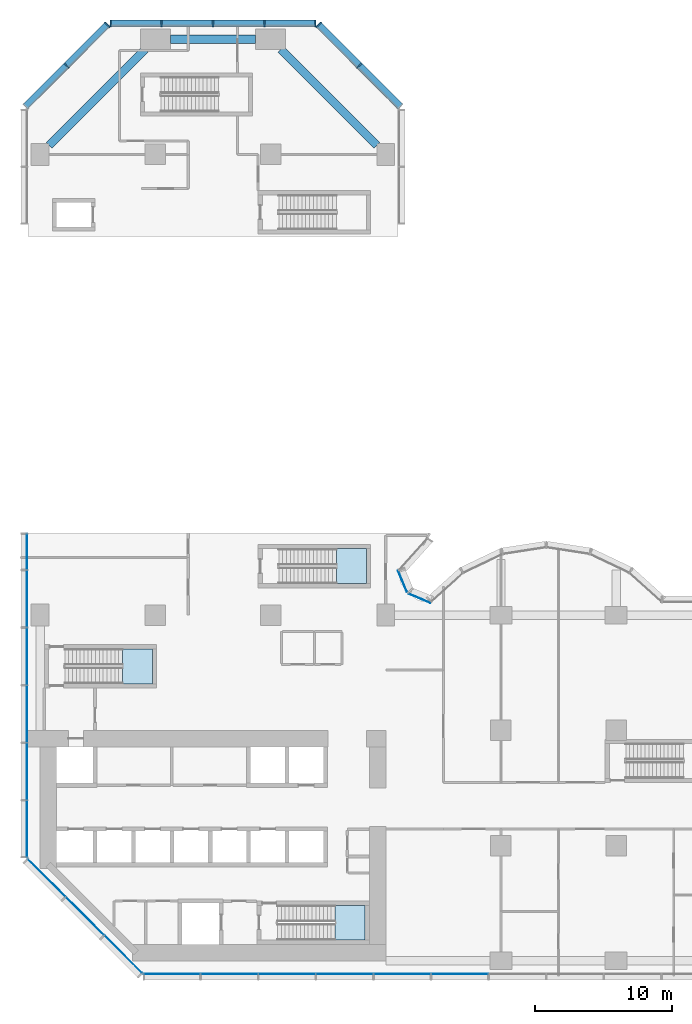
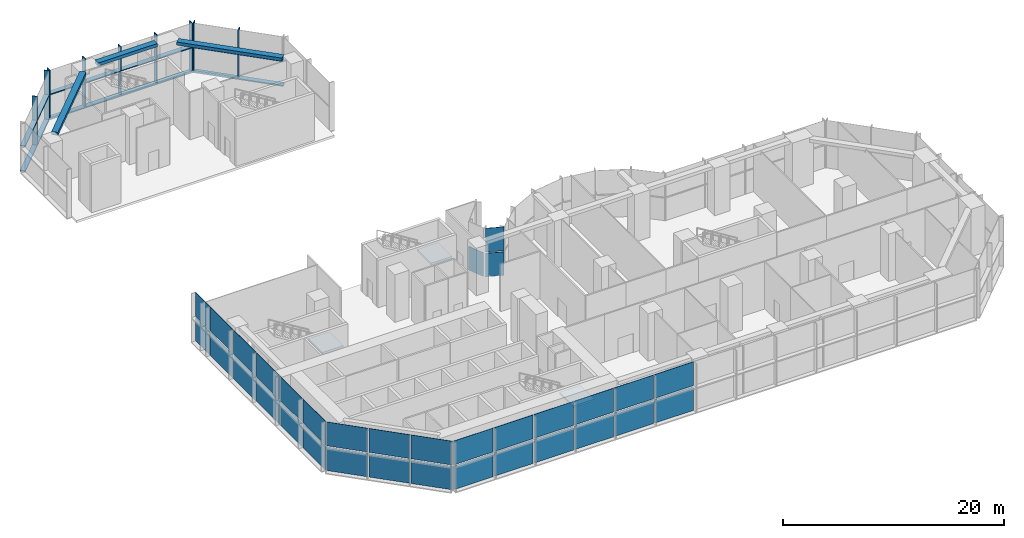
# One storey, part 5 of 16: 33 plates, 20 members, 3 beams, 3 slabs, 10 elements without a shape of their own.
"""IFC4 building model written with IfcOpenShell, lengths in metres."""

from ifc_helpers import new_model, si_unit, direction, frame, origin, origin_2d, place, context, subcontext, project, spatial, polyline, rectangle, outline, extrude, material, layer, layer_set, material_profile, profile_set, type_object, element, aggregate, save


model = new_model("IFC4")

# Units and contexts
model_context = context("Model", 3, precision=1e-05, world=origin(), true_north=direction((0.0, 1.0)))
body_context = subcontext(model_context, "Body", "Model", "MODEL_VIEW")
ifc_project = project(units=[si_unit("LENGTHUNIT", "METRE"), si_unit("AREAUNIT", "SQUARE_METRE"), si_unit("VOLUMEUNIT", "CUBIC_METRE"), si_unit("PLANEANGLEUNIT", "RADIAN"), si_unit("MASSUNIT", "GRAM", prefix="KILO")], contexts=[model_context])

# Site, building, storey
site_placement = place(None, origin())
site = spatial("IfcSite", under=ifc_project, at=site_placement, CompositionType="ELEMENT")
building_placement = place(site_placement, origin())
building = spatial("IfcBuilding", under=site, at=building_placement, Name="Brevane Broadcast Tower", CompositionType="ELEMENT")
storey_placement = place(building_placement, frame((0.0, 0.0, 7.0)))
storey = spatial("IfcBuildingStorey", under=building, at=storey_placement, Name="L01", CompositionType="ELEMENT", Elevation=7.0)

# Curtain wall, members
ifc_material_1 = material(Name="Aluminium 6063-T6 bronze anodised", Category="aluminium")
curtain_wall_type = type_object("IfcCurtainWallType", Name="CW-2 curtain wall", PredefinedType="NOTDEFINED", material=ifc_material_1)
curtain_wall_1_placement = place(storey_placement, origin())
curtain_wall_1 = element("IfcCurtainWall", 1, at=curtain_wall_1_placement, inside=storey, type_object=curtain_wall_type, Name="CW-2 podium base unit L01 north arm north-east chamfer", PredefinedType="NOTDEFINED")
ifc_material_profile_1 = material_profile(ifc_material_1, rectangle(XDim=0.5, YDim=0.090087890625, at=origin_2d()), Name="RECT 90x500")
ifc_profile_set_1 = profile_set([ifc_material_profile_1], Name="Aluminium 6063-T6 bronze anodised")
member_type_1 = type_object("IfcMemberType", Name="CW-2 mullion 90x500", PredefinedType="MULLION", material=ifc_profile_set_1)
member_1_placement = place(storey_placement, frame((23.27685546875, 65.27685546875, -0.1298828125), z_axis=(0.0, 0.0, 1.0), x_axis=(-0.707106781187, -0.707106781187, 0.0)))
member_1 = element("IfcMember", 2, at=member_1_placement, type_object=member_type_1, Name="CW-2 mullion", PredefinedType="MULLION", context=body_context, shape_type="SweptSolid", body=[
    extrude(rectangle(XDim=0.5, YDim=0.090087890625, at=origin_2d()), origin(), (0.0, 0.0, 1.0), 5.3798828125),
])
member_2_placement = place(storey_placement, frame((20.30859375, 68.244873046875, -0.1298828125), z_axis=(0.0, 0.0, 1.0), x_axis=(-0.707106781187, -0.707106781187, 0.0)))
member_2 = element("IfcMember", 3, at=member_2_placement, type_object=member_type_1, Name="CW-2 mullion", PredefinedType="MULLION", context=body_context, shape_type="SweptSolid", body=[
    extrude(rectangle(XDim=0.5, YDim=0.090087890625, at=origin_2d()), origin(), (0.0, 0.0, 1.0), 5.3798828125),
])

curtain_wall_2_placement = place(storey_placement, origin())
curtain_wall_2 = element("IfcCurtainWall", 4, at=curtain_wall_2_placement, inside=storey, type_object=curtain_wall_type, Name="CW-2 podium base unit L01 north end", PredefinedType="NOTDEFINED")
member_3_placement = place(storey_placement, frame((20.054931640625, 68.35009765625, -0.1298828125), z_axis=(0.0, 0.0, 1.0), x_axis=(0.0, -1.0, 0.0)))
member_3 = element("IfcMember", 5, at=member_3_placement, type_object=member_type_1, Name="CW-2 mullion", PredefinedType="MULLION", context=body_context, shape_type="SweptSolid", body=[
    extrude(rectangle(XDim=0.5, YDim=0.090087890625, at=origin_2d()), origin(), (0.0, 0.0, 1.0), 5.3798828125),
])
member_4_placement = place(storey_placement, frame((16.35009765625, 68.35009765625, -0.1298828125), z_axis=(0.0, 0.0, 1.0), x_axis=(0.0, -1.0, 0.0)))
member_4 = element("IfcMember", 6, at=member_4_placement, type_object=member_type_1, Name="CW-2 mullion", PredefinedType="MULLION", context=body_context, shape_type="SweptSolid", body=[
    extrude(rectangle(XDim=0.5, YDim=0.090087890625, at=origin_2d()), origin(), (0.0, 0.0, 1.0), 5.3798828125),
])
member_5_placement = place(storey_placement, frame((12.60009765625, 68.35009765625, -0.1298828125), z_axis=(0.0, 0.0, 1.0), x_axis=(0.0, -1.0, 0.0)))
member_5 = element("IfcMember", 7, at=member_5_placement, type_object=member_type_1, Name="CW-2 mullion", PredefinedType="MULLION", context=body_context, shape_type="SweptSolid", body=[
    extrude(rectangle(XDim=0.5, YDim=0.090087890625, at=origin_2d()), origin(), (0.0, 0.0, 1.0), 5.3798828125),
])
member_6_placement = place(storey_placement, frame((8.85009765625, 68.35009765625, -0.1298828125), z_axis=(0.0, 0.0, 1.0), x_axis=(0.0, -1.0, 0.0)))
member_6 = element("IfcMember", 8, at=member_6_placement, type_object=member_type_1, Name="CW-2 mullion", PredefinedType="MULLION", context=body_context, shape_type="SweptSolid", body=[
    extrude(rectangle(XDim=0.5, YDim=0.090087890625, at=origin_2d()), origin(), (0.0, 0.0, 1.0), 5.3798828125),
])
member_7_placement = place(storey_placement, frame((5.14501953125, 68.35009765625, -0.1298828125), z_axis=(0.0, 0.0, 1.0), x_axis=(0.0, -1.0, 0.0)))
member_7 = element("IfcMember", 9, at=member_7_placement, type_object=member_type_1, Name="CW-2 mullion", PredefinedType="MULLION", context=body_context, shape_type="SweptSolid", body=[
    extrude(rectangle(XDim=0.5, YDim=0.090087890625, at=origin_2d()), origin(), (0.0, 0.0, 1.0), 5.3798828125),
])

curtain_wall_3_placement = place(storey_placement, origin())
curtain_wall_3 = element("IfcCurtainWall", 10, at=curtain_wall_3_placement, inside=storey, type_object=curtain_wall_type, Name="CW-2 podium base unit L01 north-west chamfer", PredefinedType="NOTDEFINED")
member_8_placement = place(storey_placement, frame((4.891357421875, 68.244873046875, -0.1298828125), z_axis=(0.0, 0.0, 1.0), x_axis=(0.707106781187, -0.707106781187, 0.0)))
member_8 = element("IfcMember", 11, at=member_8_placement, type_object=member_type_1, Name="CW-2 mullion", PredefinedType="MULLION", context=body_context, shape_type="SweptSolid", body=[
    extrude(rectangle(XDim=0.5, YDim=0.090087890625, at=origin_2d()), origin(), (0.0, 0.0, 1.0), 5.3798828125),
])
member_9_placement = place(storey_placement, frame((1.92333984375, 65.27685546875, -0.1298828125), z_axis=(0.0, 0.0, 1.0), x_axis=(0.707106781187, -0.707106781187, 0.0)))
member_9 = element("IfcMember", 12, at=member_9_placement, type_object=member_type_1, Name="CW-2 mullion", PredefinedType="MULLION", context=body_context, shape_type="SweptSolid", body=[
    extrude(rectangle(XDim=0.5, YDim=0.090087890625, at=origin_2d()), origin(), (0.0, 0.0, 1.0), 5.3798828125),
])

# Member
ifc_material_profile_2 = material_profile(ifc_material_1, rectangle(XDim=0.5, YDim=0.1201171875, at=origin_2d()), Name="RECT 120x500")
ifc_profile_set_2 = profile_set([ifc_material_profile_2], Name="Aluminium 6063-T6 bronze anodised")
member_type_2 = type_object("IfcMemberType", Name="CW-2 transom 120x500", PredefinedType="USERDEFINED", material=ifc_profile_set_2)
member_10_placement = place(storey_placement, frame((26.27685546875, 62.27685546875, -0.18994140625), z_axis=(-0.707106781187, 0.707106781187, 0.0), x_axis=(-0.707106781187, -0.707106781187, 0.0)))
member_10 = element("IfcMember", 13, at=member_10_placement, type_object=member_type_2, Name="CW-2 transom", ObjectType="TRANSOM", PredefinedType="USERDEFINED", context=body_context, shape_type="SweptSolid", body=[
    extrude(rectangle(XDim=0.5, YDim=0.1201171875, at=origin_2d()), origin(), (0.0, 0.0, 1.0), 8.4853515625),
])

member_11_placement = place(storey_placement, frame((26.244873046875, 62.30859375, 2.550048828125), z_axis=(-0.707106781187, 0.707106781187, 0.0), x_axis=(-0.707106781187, -0.707106781187, 0.0)))
member_11 = element("IfcMember", 14, at=member_11_placement, type_object=member_type_2, Name="CW-2 transom", ObjectType="TRANSOM", PredefinedType="USERDEFINED", context=body_context, shape_type="SweptSolid", body=[
    extrude(rectangle(XDim=0.5, YDim=0.1201171875, at=origin_2d()), origin(), (0.0, 0.0, 1.0), 4.152587890625),
])

member_12_placement = place(storey_placement, frame((23.244873046875, 65.30859375, 2.550048828125), z_axis=(-0.707106781187, 0.707106781187, 0.0), x_axis=(-0.707106781187, -0.707106781187, 0.0)))
member_12 = element("IfcMember", 15, at=member_12_placement, type_object=member_type_2, Name="CW-2 transom", ObjectType="TRANSOM", PredefinedType="USERDEFINED", context=body_context, shape_type="SweptSolid", body=[
    extrude(rectangle(XDim=0.5, YDim=0.1201171875, at=origin_2d()), origin(), (0.0, 0.0, 1.0), 4.152587890625),
])

aggregate(curtain_wall_1, [member_1, member_2, member_10, member_11, member_12])

member_13_placement = place(storey_placement, frame((20.10009765625, 68.35009765625, -0.18994140625), z_axis=(-1.0, 0.0, 0.0), x_axis=(0.0, -1.0, 0.0)))
member_13 = element("IfcMember", 16, at=member_13_placement, type_object=member_type_2, Name="CW-2 transom", ObjectType="TRANSOM", PredefinedType="USERDEFINED", context=body_context, shape_type="SweptSolid", body=[
    extrude(rectangle(XDim=0.5, YDim=0.1201171875, at=origin_2d()), origin(), (0.0, 0.0, 1.0), 15.0),
])

member_14_placement = place(storey_placement, frame((20.054931640625, 68.35009765625, 2.550048828125), z_axis=(-1.0, 0.0, 0.0), x_axis=(0.0, -1.0, 0.0)))
member_14 = element("IfcMember", 17, at=member_14_placement, type_object=member_type_2, Name="CW-2 transom", ObjectType="TRANSOM", PredefinedType="USERDEFINED", context=body_context, shape_type="SweptSolid", body=[
    extrude(rectangle(XDim=0.5, YDim=0.1201171875, at=origin_2d()), origin(), (0.0, 0.0, 1.0), 3.659912109375),
])

member_15_placement = place(storey_placement, frame((16.304931640625, 68.35009765625, 2.550048828125), z_axis=(-1.0, 0.0, 0.0), x_axis=(0.0, -1.0, 0.0)))
member_15 = element("IfcMember", 18, at=member_15_placement, type_object=member_type_2, Name="CW-2 transom", ObjectType="TRANSOM", PredefinedType="USERDEFINED", context=body_context, shape_type="SweptSolid", body=[
    extrude(rectangle(XDim=0.5, YDim=0.1201171875, at=origin_2d()), origin(), (0.0, 0.0, 1.0), 3.659912109375),
])

member_16_placement = place(storey_placement, frame((12.554931640625, 68.35009765625, 2.550048828125), z_axis=(-1.0, 0.0, 0.0), x_axis=(0.0, -1.0, 0.0)))
member_16 = element("IfcMember", 19, at=member_16_placement, type_object=member_type_2, Name="CW-2 transom", ObjectType="TRANSOM", PredefinedType="USERDEFINED", context=body_context, shape_type="SweptSolid", body=[
    extrude(rectangle(XDim=0.5, YDim=0.1201171875, at=origin_2d()), origin(), (0.0, 0.0, 1.0), 3.659912109375),
])

member_17_placement = place(storey_placement, frame((8.804931640625, 68.35009765625, 2.550048828125), z_axis=(-1.0, 0.0, 0.0), x_axis=(0.0, -1.0, 0.0)))
member_17 = element("IfcMember", 20, at=member_17_placement, type_object=member_type_2, Name="CW-2 transom", ObjectType="TRANSOM", PredefinedType="USERDEFINED", context=body_context, shape_type="SweptSolid", body=[
    extrude(rectangle(XDim=0.5, YDim=0.1201171875, at=origin_2d()), origin(), (0.0, 0.0, 1.0), 3.659912109375),
])

aggregate(curtain_wall_2, [member_3, member_4, member_5, member_6, member_7, member_13, member_14, member_15, member_16, member_17])

member_18_placement = place(storey_placement, frame((4.92333984375, 68.27685546875, -0.18994140625), z_axis=(-0.707106781187, -0.707106781187, 0.0), x_axis=(0.707106781187, -0.707106781187, 0.0)))
member_18 = element("IfcMember", 21, at=member_18_placement, type_object=member_type_2, Name="CW-2 transom", ObjectType="TRANSOM", PredefinedType="USERDEFINED", context=body_context, shape_type="SweptSolid", body=[
    extrude(rectangle(XDim=0.5, YDim=0.1201171875, at=origin_2d()), origin(), (0.0, 0.0, 1.0), 8.4853515625),
])

member_19_placement = place(storey_placement, frame((4.891357421875, 68.244873046875, 2.550048828125), z_axis=(-0.707106781187, -0.707106781187, 0.0), x_axis=(0.707106781187, -0.707106781187, 0.0)))
member_19 = element("IfcMember", 22, at=member_19_placement, type_object=member_type_2, Name="CW-2 transom", ObjectType="TRANSOM", PredefinedType="USERDEFINED", context=body_context, shape_type="SweptSolid", body=[
    extrude(rectangle(XDim=0.5, YDim=0.1201171875, at=origin_2d()), origin(), (0.0, 0.0, 1.0), 4.152587890625),
])

member_20_placement = place(storey_placement, frame((1.891357421875, 65.244873046875, 2.550048828125), z_axis=(-0.707106781187, -0.707106781187, 0.0), x_axis=(0.707106781187, -0.707106781187, 0.0)))
member_20 = element("IfcMember", 23, at=member_20_placement, type_object=member_type_2, Name="CW-2 transom", ObjectType="TRANSOM", PredefinedType="USERDEFINED", context=body_context, shape_type="SweptSolid", body=[
    extrude(rectangle(XDim=0.5, YDim=0.1201171875, at=origin_2d()), origin(), (0.0, 0.0, 1.0), 4.152587890625),
])

aggregate(curtain_wall_3, [member_8, member_9, member_18, member_19, member_20])

# Beams
ifc_material_2 = material(Name="Concrete C40/50", Category="concrete")
ifc_material_profile_3 = material_profile(ifc_material_2, rectangle(XDim=0.60009765625, YDim=0.35009765625, at=origin_2d()), Name="RC 600x350")
ifc_profile_set_3 = profile_set([ifc_material_profile_3], Name="Concrete C40/50")
beam_type = type_object("IfcBeamType", Name="RC SPANDREL BEAM 600x350 C40/50", PredefinedType="SPANDREL", material=ifc_profile_set_3)
beam_1_placement = place(storey_placement, frame((24.550048828125, 59.449951171875, 5.074951171875), z_axis=(-0.707106781187, 0.707106781187, 0.0), x_axis=(-0.707106781187, -0.707106781187, 0.0)))
element("IfcBeam", 24, at=beam_1_placement, inside=storey, type_object=beam_type, Name="EB1 L01-12", PredefinedType="SPANDREL", context=body_context, shape_type="SweptSolid", body=[
    extrude(rectangle(XDim=0.60009765625, YDim=0.35009765625, at=origin_2d()), origin(), (0.0, 0.0, 1.0), 9.8994140625),
])
beam_2_placement = place(storey_placement, frame((15.699951171875, 67.199951171875, 5.074951171875), z_axis=(-1.0, 0.0, 0.0), x_axis=(0.0, -1.0, 0.0)))
element("IfcBeam", 25, at=beam_2_placement, inside=storey, type_object=beam_type, Name="EB1 L01-13", PredefinedType="SPANDREL", context=body_context, shape_type="SweptSolid", body=[
    extrude(rectangle(XDim=0.60009765625, YDim=0.35009765625, at=origin_2d()), origin(), (0.0, 0.0, 1.0), 6.199951171875),
])
beam_3_placement = place(storey_placement, frame((7.64990234375, 66.449951171875, 5.074951171875), z_axis=(-0.707106781187, -0.707106781187, 0.0), x_axis=(0.707106781187, -0.707106781187, 0.0)))
element("IfcBeam", 26, at=beam_3_placement, inside=storey, type_object=beam_type, Name="EB1 L01-14", PredefinedType="SPANDREL", context=body_context, shape_type="SweptSolid", body=[
    extrude(rectangle(XDim=0.60009765625, YDim=0.35009765625, at=origin_2d()), origin(), (0.0, 0.0, 1.0), 9.8994140625),
])

# Curtain wall, plates
curtain_wall_4_placement = place(storey_placement, origin())
curtain_wall_4 = element("IfcCurtainWall", 27, at=curtain_wall_4_placement, inside=storey, type_object=curtain_wall_type, Name="CW-2 podium base unit L01 south face", PredefinedType="NOTDEFINED")
ifc_material_3 = material(Name="Laminated glass bronze-tinted", Category="glass")
ifc_layer_1 = layer(ifc_material_3, 0.0400390625)
ifc_layer_set_1 = layer_set([ifc_layer_1], Name="CW glass panel 40")
plate_type = type_object("IfcPlateType", Name="CW glass panel 40", PredefinedType="CURTAIN_PANEL", material=ifc_layer_set_1)
plate_1_placement = place(storey_placement, frame((0.0, 0.0, -0.1298828125)))
plate_1 = element("IfcPlate", 28, at=plate_1_placement, type_object=plate_type, Name="CW-2 glass panel", PredefinedType="CURTAIN_PANEL", context=body_context, shape_type="SweptSolid", body=[
    extrude(outline(polyline([(11.655029296875, -0.969970703125), (11.655029296875, -0.929931640625), (7.544921875, -0.929931640625), (7.544921875, -0.969970703125), (11.655029296875, -0.969970703125)])), origin(), (0.0, 0.0, 1.0), 2.619873046875),
])
plate_2_placement = place(storey_placement, frame((0.0, 0.0, 2.610107421875)))
plate_2 = element("IfcPlate", 29, at=plate_2_placement, type_object=plate_type, Name="CW-2 glass panel", PredefinedType="CURTAIN_PANEL", context=body_context, shape_type="SweptSolid", body=[
    extrude(outline(polyline([(11.655029296875, -0.969970703125), (11.655029296875, -0.929931640625), (7.544921875, -0.929931640625), (7.544921875, -0.969970703125), (11.655029296875, -0.969970703125)])), origin(), (0.0, 0.0, 1.0), 2.639892578125),
])
plate_3_placement = place(storey_placement, frame((0.0, 0.0, -0.1298828125)))
plate_3 = element("IfcPlate", 30, at=plate_3_placement, type_object=plate_type, Name="CW-2 glass panel", PredefinedType="CURTAIN_PANEL", context=body_context, shape_type="SweptSolid", body=[
    extrude(outline(polyline([(15.85498046875, -0.969970703125), (15.85498046875, -0.929931640625), (11.7451171875, -0.929931640625), (11.7451171875, -0.969970703125), (15.85498046875, -0.969970703125)])), origin(), (0.0, 0.0, 1.0), 2.619873046875),
])
plate_4_placement = place(storey_placement, frame((0.0, 0.0, 2.610107421875)))
plate_4 = element("IfcPlate", 31, at=plate_4_placement, type_object=plate_type, Name="CW-2 glass panel", PredefinedType="CURTAIN_PANEL", context=body_context, shape_type="SweptSolid", body=[
    extrude(outline(polyline([(15.85498046875, -0.969970703125), (15.85498046875, -0.929931640625), (11.7451171875, -0.929931640625), (11.7451171875, -0.969970703125), (15.85498046875, -0.969970703125)])), origin(), (0.0, 0.0, 1.0), 2.639892578125),
])
plate_5_placement = place(storey_placement, frame((0.0, 0.0, -0.1298828125)))
plate_5 = element("IfcPlate", 32, at=plate_5_placement, type_object=plate_type, Name="CW-2 glass panel", PredefinedType="CURTAIN_PANEL", context=body_context, shape_type="SweptSolid", body=[
    extrude(outline(polyline([(20.054931640625, -0.969970703125), (20.054931640625, -0.929931640625), (15.945068359375, -0.929931640625), (15.945068359375, -0.969970703125), (20.054931640625, -0.969970703125)])), origin(), (0.0, 0.0, 1.0), 2.619873046875),
])
plate_6_placement = place(storey_placement, frame((0.0, 0.0, 2.610107421875)))
plate_6 = element("IfcPlate", 33, at=plate_6_placement, type_object=plate_type, Name="CW-2 glass panel", PredefinedType="CURTAIN_PANEL", context=body_context, shape_type="SweptSolid", body=[
    extrude(outline(polyline([(20.054931640625, -0.969970703125), (20.054931640625, -0.929931640625), (15.945068359375, -0.929931640625), (15.945068359375, -0.969970703125), (20.054931640625, -0.969970703125)])), origin(), (0.0, 0.0, 1.0), 2.639892578125),
])
plate_7_placement = place(storey_placement, frame((0.0, 0.0, -0.1298828125)))
plate_7 = element("IfcPlate", 34, at=plate_7_placement, type_object=plate_type, Name="CW-2 glass panel", PredefinedType="CURTAIN_PANEL", context=body_context, shape_type="SweptSolid", body=[
    extrude(outline(polyline([(24.2548828125, -0.969970703125), (24.2548828125, -0.929931640625), (20.14501953125, -0.929931640625), (20.14501953125, -0.969970703125), (24.2548828125, -0.969970703125)])), origin(), (0.0, 0.0, 1.0), 2.619873046875),
])
plate_8_placement = place(storey_placement, frame((0.0, 0.0, 2.610107421875)))
plate_8 = element("IfcPlate", 35, at=plate_8_placement, type_object=plate_type, Name="CW-2 glass panel", PredefinedType="CURTAIN_PANEL", context=body_context, shape_type="SweptSolid", body=[
    extrude(outline(polyline([(24.2548828125, -0.969970703125), (24.2548828125, -0.929931640625), (20.14501953125, -0.929931640625), (20.14501953125, -0.969970703125), (24.2548828125, -0.969970703125)])), origin(), (0.0, 0.0, 1.0), 2.639892578125),
])
plate_9_placement = place(storey_placement, frame((0.0, 0.0, -0.1298828125)))
plate_9 = element("IfcPlate", 36, at=plate_9_placement, type_object=plate_type, Name="CW-2 glass panel", PredefinedType="CURTAIN_PANEL", context=body_context, shape_type="SweptSolid", body=[
    extrude(outline(polyline([(28.455078125, -0.969970703125), (28.455078125, -0.929931640625), (24.344970703125, -0.929931640625), (24.344970703125, -0.969970703125), (28.455078125, -0.969970703125)])), origin(), (0.0, 0.0, 1.0), 2.619873046875),
])
plate_10_placement = place(storey_placement, frame((0.0, 0.0, 2.610107421875)))
plate_10 = element("IfcPlate", 37, at=plate_10_placement, type_object=plate_type, Name="CW-2 glass panel", PredefinedType="CURTAIN_PANEL", context=body_context, shape_type="SweptSolid", body=[
    extrude(outline(polyline([(28.455078125, -0.969970703125), (28.455078125, -0.929931640625), (24.344970703125, -0.929931640625), (24.344970703125, -0.969970703125), (28.455078125, -0.969970703125)])), origin(), (0.0, 0.0, 1.0), 2.639892578125),
])
plate_11_placement = place(storey_placement, frame((0.0, 0.0, -0.1298828125)))
plate_11 = element("IfcPlate", 38, at=plate_11_placement, type_object=plate_type, Name="CW-2 glass panel", PredefinedType="CURTAIN_PANEL", context=body_context, shape_type="SweptSolid", body=[
    extrude(outline(polyline([(32.655029296875, -0.969970703125), (32.655029296875, -0.929931640625), (28.544921875, -0.929931640625), (28.544921875, -0.969970703125), (32.655029296875, -0.969970703125)])), origin(), (0.0, 0.0, 1.0), 2.619873046875),
])
plate_12_placement = place(storey_placement, frame((0.0, 0.0, 2.610107421875)))
plate_12 = element("IfcPlate", 39, at=plate_12_placement, type_object=plate_type, Name="CW-2 glass panel", PredefinedType="CURTAIN_PANEL", context=body_context, shape_type="SweptSolid", body=[
    extrude(outline(polyline([(32.655029296875, -0.969970703125), (32.655029296875, -0.929931640625), (28.544921875, -0.929931640625), (28.544921875, -0.969970703125), (32.655029296875, -0.969970703125)])), origin(), (0.0, 0.0, 1.0), 2.639892578125),
])
aggregate(curtain_wall_4, [plate_1, plate_2, plate_3, plate_4, plate_5, plate_6, plate_7, plate_8, plate_9, plate_10, plate_11, plate_12])

curtain_wall_5_placement = place(storey_placement, origin())
curtain_wall_5 = element("IfcCurtainWall", 40, at=curtain_wall_5_placement, inside=storey, type_object=curtain_wall_type, Name="CW-2 podium base unit L01 inner corner", PredefinedType="NOTDEFINED")
plate_13_placement = place(storey_placement, frame((0.0, 0.0, -0.1298828125)))
plate_13 = element("IfcPlate", 41, at=plate_13_placement, type_object=plate_type, Name="CW-2 glass panel", PredefinedType="CURTAIN_PANEL", context=body_context, shape_type="SweptSolid", body=[
    extrude(outline(polyline([(28.4423828125, 26.07861328125), (28.457763671875, 26.115478515625), (26.90380859375, 26.759033203125), (26.873046875, 26.728515625), (28.4423828125, 26.07861328125)])), origin(), (0.0, 0.0, 1.0), 2.619873046875),
])
plate_14_placement = place(storey_placement, frame((0.0, 0.0, 2.610107421875)))
plate_14 = element("IfcPlate", 42, at=plate_14_placement, type_object=plate_type, Name="CW-2 glass panel", PredefinedType="CURTAIN_PANEL", context=body_context, shape_type="SweptSolid", body=[
    extrude(outline(polyline([(28.4423828125, 26.07861328125), (28.457763671875, 26.115478515625), (26.90380859375, 26.759033203125), (26.873046875, 26.728515625), (28.4423828125, 26.07861328125)])), origin(), (0.0, 0.0, 1.0), 2.639892578125),
])
plate_15_placement = place(storey_placement, frame((0.0, 0.0, -0.1298828125)))
plate_15 = element("IfcPlate", 43, at=plate_15_placement, type_object=plate_type, Name="CW-2 glass panel", PredefinedType="CURTAIN_PANEL", context=body_context, shape_type="SweptSolid", body=[
    extrude(outline(polyline([(26.728515625, 26.873046875), (26.759033203125, 26.90380859375), (26.115478515625, 28.457763671875), (26.07861328125, 28.4423828125), (26.728515625, 26.873046875)])), origin(), (0.0, 0.0, 1.0), 2.619873046875),
])
aggregate(curtain_wall_5, [plate_13, plate_14, plate_15])

curtain_wall_6_placement = place(storey_placement, origin())
curtain_wall_6 = element("IfcCurtainWall", 44, at=curtain_wall_6_placement, inside=storey, type_object=curtain_wall_type, Name="CW-2 podium base unit L01 west face", PredefinedType="NOTDEFINED")
plate_16_placement = place(storey_placement, frame((0.0, 0.0, -0.1298828125)))
plate_16 = element("IfcPlate", 45, at=plate_16_placement, type_object=plate_type, Name="CW-2 glass panel", PredefinedType="CURTAIN_PANEL", context=body_context, shape_type="SweptSolid", body=[
    extrude(outline(polyline([(-0.969970703125, 28.544921875), (-0.929931640625, 28.544921875), (-0.929931640625, 31.155029296875), (-0.969970703125, 31.155029296875), (-0.969970703125, 28.544921875)])), origin(), (0.0, 0.0, 1.0), 2.619873046875),
])
plate_17_placement = place(storey_placement, frame((0.0, 0.0, 2.610107421875)))
plate_17 = element("IfcPlate", 46, at=plate_17_placement, type_object=plate_type, Name="CW-2 glass panel", PredefinedType="CURTAIN_PANEL", context=body_context, shape_type="SweptSolid", body=[
    extrude(outline(polyline([(-0.969970703125, 28.544921875), (-0.929931640625, 28.544921875), (-0.929931640625, 31.155029296875), (-0.969970703125, 31.155029296875), (-0.969970703125, 28.544921875)])), origin(), (0.0, 0.0, 1.0), 2.639892578125),
])
plate_18_placement = place(storey_placement, frame((0.0, 0.0, -0.1298828125)))
plate_18 = element("IfcPlate", 47, at=plate_18_placement, type_object=plate_type, Name="CW-2 glass panel", PredefinedType="CURTAIN_PANEL", context=body_context, shape_type="SweptSolid", body=[
    extrude(outline(polyline([(-0.969970703125, 24.344970703125), (-0.929931640625, 24.344970703125), (-0.929931640625, 28.455078125), (-0.969970703125, 28.455078125), (-0.969970703125, 24.344970703125)])), origin(), (0.0, 0.0, 1.0), 2.619873046875),
])
plate_19_placement = place(storey_placement, frame((0.0, 0.0, 2.610107421875)))
plate_19 = element("IfcPlate", 48, at=plate_19_placement, type_object=plate_type, Name="CW-2 glass panel", PredefinedType="CURTAIN_PANEL", context=body_context, shape_type="SweptSolid", body=[
    extrude(outline(polyline([(-0.969970703125, 24.344970703125), (-0.929931640625, 24.344970703125), (-0.929931640625, 28.455078125), (-0.969970703125, 28.455078125), (-0.969970703125, 24.344970703125)])), origin(), (0.0, 0.0, 1.0), 2.639892578125),
])
plate_20_placement = place(storey_placement, frame((0.0, 0.0, -0.1298828125)))
plate_20 = element("IfcPlate", 49, at=plate_20_placement, type_object=plate_type, Name="CW-2 glass panel", PredefinedType="CURTAIN_PANEL", context=body_context, shape_type="SweptSolid", body=[
    extrude(outline(polyline([(-0.969970703125, 20.14501953125), (-0.929931640625, 20.14501953125), (-0.929931640625, 24.2548828125), (-0.969970703125, 24.2548828125), (-0.969970703125, 20.14501953125)])), origin(), (0.0, 0.0, 1.0), 2.619873046875),
])
plate_21_placement = place(storey_placement, frame((0.0, 0.0, 2.610107421875)))
plate_21 = element("IfcPlate", 50, at=plate_21_placement, type_object=plate_type, Name="CW-2 glass panel", PredefinedType="CURTAIN_PANEL", context=body_context, shape_type="SweptSolid", body=[
    extrude(outline(polyline([(-0.969970703125, 20.14501953125), (-0.929931640625, 20.14501953125), (-0.929931640625, 24.2548828125), (-0.969970703125, 24.2548828125), (-0.969970703125, 20.14501953125)])), origin(), (0.0, 0.0, 1.0), 2.639892578125),
])
plate_22_placement = place(storey_placement, frame((0.0, 0.0, -0.1298828125)))
plate_22 = element("IfcPlate", 51, at=plate_22_placement, type_object=plate_type, Name="CW-2 glass panel", PredefinedType="CURTAIN_PANEL", context=body_context, shape_type="SweptSolid", body=[
    extrude(outline(polyline([(-0.969970703125, 15.945068359375), (-0.929931640625, 15.945068359375), (-0.929931640625, 20.054931640625), (-0.969970703125, 20.054931640625), (-0.969970703125, 15.945068359375)])), origin(), (0.0, 0.0, 1.0), 2.619873046875),
])
plate_23_placement = place(storey_placement, frame((0.0, 0.0, 2.610107421875)))
plate_23 = element("IfcPlate", 52, at=plate_23_placement, type_object=plate_type, Name="CW-2 glass panel", PredefinedType="CURTAIN_PANEL", context=body_context, shape_type="SweptSolid", body=[
    extrude(outline(polyline([(-0.969970703125, 15.945068359375), (-0.929931640625, 15.945068359375), (-0.929931640625, 20.054931640625), (-0.969970703125, 20.054931640625), (-0.969970703125, 15.945068359375)])), origin(), (0.0, 0.0, 1.0), 2.639892578125),
])
plate_24_placement = place(storey_placement, frame((0.0, 0.0, -0.1298828125)))
plate_24 = element("IfcPlate", 53, at=plate_24_placement, type_object=plate_type, Name="CW-2 glass panel", PredefinedType="CURTAIN_PANEL", context=body_context, shape_type="SweptSolid", body=[
    extrude(outline(polyline([(-0.969970703125, 11.7451171875), (-0.929931640625, 11.7451171875), (-0.929931640625, 15.85498046875), (-0.969970703125, 15.85498046875), (-0.969970703125, 11.7451171875)])), origin(), (0.0, 0.0, 1.0), 2.619873046875),
])
plate_25_placement = place(storey_placement, frame((0.0, 0.0, 2.610107421875)))
plate_25 = element("IfcPlate", 54, at=plate_25_placement, type_object=plate_type, Name="CW-2 glass panel", PredefinedType="CURTAIN_PANEL", context=body_context, shape_type="SweptSolid", body=[
    extrude(outline(polyline([(-0.969970703125, 11.7451171875), (-0.929931640625, 11.7451171875), (-0.929931640625, 15.85498046875), (-0.969970703125, 15.85498046875), (-0.969970703125, 11.7451171875)])), origin(), (0.0, 0.0, 1.0), 2.639892578125),
])
plate_26_placement = place(storey_placement, frame((0.0, 0.0, -0.1298828125)))
plate_26 = element("IfcPlate", 55, at=plate_26_placement, type_object=plate_type, Name="CW-2 glass panel", PredefinedType="CURTAIN_PANEL", context=body_context, shape_type="SweptSolid", body=[
    extrude(outline(polyline([(-0.969970703125, 7.544921875), (-0.929931640625, 7.544921875), (-0.929931640625, 11.655029296875), (-0.969970703125, 11.655029296875), (-0.969970703125, 7.544921875)])), origin(), (0.0, 0.0, 1.0), 2.619873046875),
])
plate_27_placement = place(storey_placement, frame((0.0, 0.0, 2.610107421875)))
plate_27 = element("IfcPlate", 56, at=plate_27_placement, type_object=plate_type, Name="CW-2 glass panel", PredefinedType="CURTAIN_PANEL", context=body_context, shape_type="SweptSolid", body=[
    extrude(outline(polyline([(-0.969970703125, 7.544921875), (-0.929931640625, 7.544921875), (-0.929931640625, 11.655029296875), (-0.969970703125, 11.655029296875), (-0.969970703125, 7.544921875)])), origin(), (0.0, 0.0, 1.0), 2.639892578125),
])
aggregate(curtain_wall_6, [plate_16, plate_17, plate_18, plate_19, plate_20, plate_21, plate_22, plate_23, plate_24, plate_25, plate_26, plate_27])

curtain_wall_7_placement = place(storey_placement, origin())
curtain_wall_7 = element("IfcCurtainWall", 57, at=curtain_wall_7_placement, inside=storey, type_object=curtain_wall_type, Name="CW-2 podium base unit L01 south-west chamfer", PredefinedType="NOTDEFINED")
plate_28_placement = place(storey_placement, frame((0.0, 0.0, -0.1298828125)))
plate_28 = element("IfcPlate", 58, at=plate_28_placement, type_object=plate_type, Name="CW-2 glass panel", PredefinedType="CURTAIN_PANEL", context=body_context, shape_type="SweptSolid", body=[
    extrude(outline(polyline([(-0.889404296875, 7.447021484375), (1.846923828125, 4.710693359375), (1.818603515625, 4.682373046875), (-0.917724609375, 7.418701171875), (-0.889404296875, 7.447021484375)])), origin(), (0.0, 0.0, 1.0), 2.619873046875),
])
plate_29_placement = place(storey_placement, frame((0.0, 0.0, 2.610107421875)))
plate_29 = element("IfcPlate", 59, at=plate_29_placement, type_object=plate_type, Name="CW-2 glass panel", PredefinedType="CURTAIN_PANEL", context=body_context, shape_type="SweptSolid", body=[
    extrude(outline(polyline([(-0.889404296875, 7.447021484375), (1.846923828125, 4.710693359375), (1.818603515625, 4.682373046875), (-0.917724609375, 7.418701171875), (-0.889404296875, 7.447021484375)])), origin(), (0.0, 0.0, 1.0), 2.639892578125),
])
plate_30_placement = place(storey_placement, frame((0.0, 0.0, -0.1298828125)))
plate_30 = element("IfcPlate", 60, at=plate_30_placement, type_object=plate_type, Name="CW-2 glass panel", PredefinedType="CURTAIN_PANEL", context=body_context, shape_type="SweptSolid", body=[
    extrude(outline(polyline([(1.91064453125, 4.64697265625), (4.64697265625, 1.91064453125), (4.61865234375, 1.88232421875), (1.88232421875, 4.61865234375), (1.91064453125, 4.64697265625)])), origin(), (0.0, 0.0, 1.0), 2.619873046875),
])
plate_31_placement = place(storey_placement, frame((0.0, 0.0, 2.610107421875)))
plate_31 = element("IfcPlate", 61, at=plate_31_placement, type_object=plate_type, Name="CW-2 glass panel", PredefinedType="CURTAIN_PANEL", context=body_context, shape_type="SweptSolid", body=[
    extrude(outline(polyline([(1.91064453125, 4.64697265625), (4.64697265625, 1.91064453125), (4.61865234375, 1.88232421875), (1.88232421875, 4.61865234375), (1.91064453125, 4.64697265625)])), origin(), (0.0, 0.0, 1.0), 2.639892578125),
])
plate_32_placement = place(storey_placement, frame((0.0, 0.0, -0.1298828125)))
plate_32 = element("IfcPlate", 62, at=plate_32_placement, type_object=plate_type, Name="CW-2 glass panel", PredefinedType="CURTAIN_PANEL", context=body_context, shape_type="SweptSolid", body=[
    extrude(outline(polyline([(4.710693359375, 1.846923828125), (7.447021484375, -0.889404296875), (7.418701171875, -0.917724609375), (4.682373046875, 1.818603515625), (4.710693359375, 1.846923828125)])), origin(), (0.0, 0.0, 1.0), 2.619873046875),
])
plate_33_placement = place(storey_placement, frame((0.0, 0.0, 2.610107421875)))
plate_33 = element("IfcPlate", 63, at=plate_33_placement, type_object=plate_type, Name="CW-2 glass panel", PredefinedType="CURTAIN_PANEL", context=body_context, shape_type="SweptSolid", body=[
    extrude(outline(polyline([(4.710693359375, 1.846923828125), (7.447021484375, -0.889404296875), (7.418701171875, -0.917724609375), (4.682373046875, 1.818603515625), (4.710693359375, 1.846923828125)])), origin(), (0.0, 0.0, 1.0), 2.639892578125),
])
aggregate(curtain_wall_7, [plate_28, plate_29, plate_30, plate_31, plate_32, plate_33])

# Stair, slab
ifc_material_4 = material(Name="Concrete C50/60", Category="concrete")
stair_type = type_object("IfcStairType", Name="Exit stair 32 risers", PredefinedType="HALF_TURN_STAIR", material=ifc_material_4)
stair_1_placement = place(storey_placement, origin())
stair_1 = element("IfcStair", 64, at=stair_1_placement, inside=storey, type_object=stair_type, Name="L01 Exit stair ST-1", PredefinedType="HALF_TURN_STAIR")
ifc_layer_2 = layer(ifc_material_4, 0.199951171875)
ifc_layer_set_2 = layer_set([ifc_layer_2], Name="Exit stair landing")
slab_type = type_object("IfcSlabType", Name="Exit stair landing", PredefinedType="LANDING", material=ifc_layer_set_2)
slab_1_placement = place(storey_placement, frame((0.0, 0.0, 2.550048828125)))
slab_1 = element("IfcSlab", 65, at=slab_1_placement, type_object=slab_type, Name="ST-1 landing 1", PredefinedType="LANDING", context=body_context, shape_type="SweptSolid", body=[
    extrude(outline(polyline([(6.0, 20.199951171875), (8.199951171875, 20.199951171875), (8.199951171875, 22.75), (6.0, 22.75), (6.0, 20.199951171875)])), origin(), (0.0, 0.0, 1.0), 0.199951171875),
])
aggregate(stair_1, [slab_1])

stair_2_placement = place(storey_placement, origin())
stair_2 = element("IfcStair", 66, at=stair_2_placement, inside=storey, type_object=stair_type, Name="L01 Exit stair ST-2", PredefinedType="HALF_TURN_STAIR")
slab_2_placement = place(storey_placement, frame((0.0, 0.0, 2.550048828125)))
slab_2 = element("IfcSlab", 67, at=slab_2_placement, type_object=slab_type, Name="ST-2 landing 1", PredefinedType="LANDING", context=body_context, shape_type="SweptSolid", body=[
    extrude(outline(polyline([(21.5, 1.5), (23.699951171875, 1.5), (23.699951171875, 4.050048828125), (21.5, 4.050048828125), (21.5, 1.5)])), origin(), (0.0, 0.0, 1.0), 0.199951171875),
])
aggregate(stair_2, [slab_2])

stair_3_placement = place(storey_placement, origin())
stair_3 = element("IfcStair", 68, at=stair_3_placement, inside=storey, type_object=stair_type, Name="L01 Exit stair ST-3", PredefinedType="HALF_TURN_STAIR")
slab_3_placement = place(storey_placement, frame((0.0, 0.0, 2.550048828125)))
slab_3 = element("IfcSlab", 69, at=slab_3_placement, type_object=slab_type, Name="ST-3 landing 1", PredefinedType="LANDING", context=body_context, shape_type="SweptSolid", body=[
    extrude(outline(polyline([(21.60009765625, 27.5), (23.800048828125, 27.5), (23.800048828125, 30.050048828125), (21.60009765625, 30.050048828125), (21.60009765625, 27.5)])), origin(), (0.0, 0.0, 1.0), 0.199951171875),
])
aggregate(stair_3, [slab_3])

save(model, "model.ifc")
